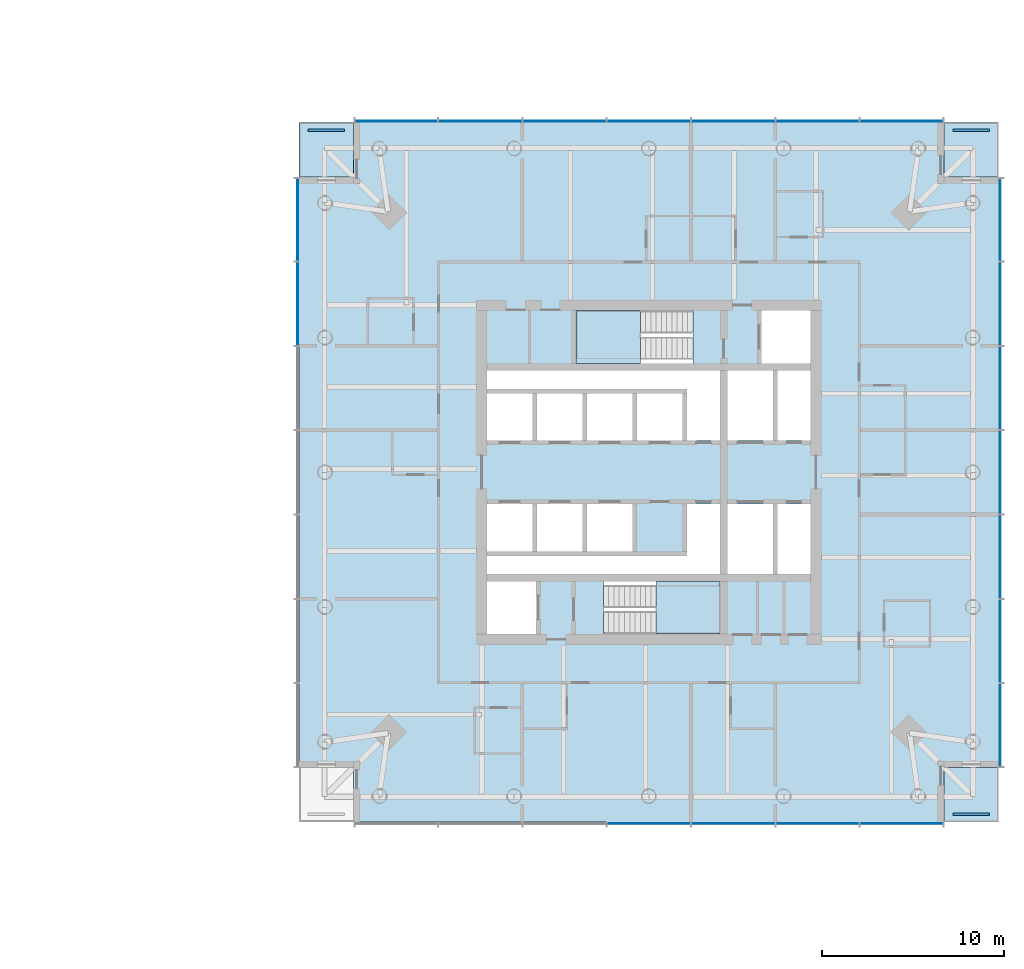
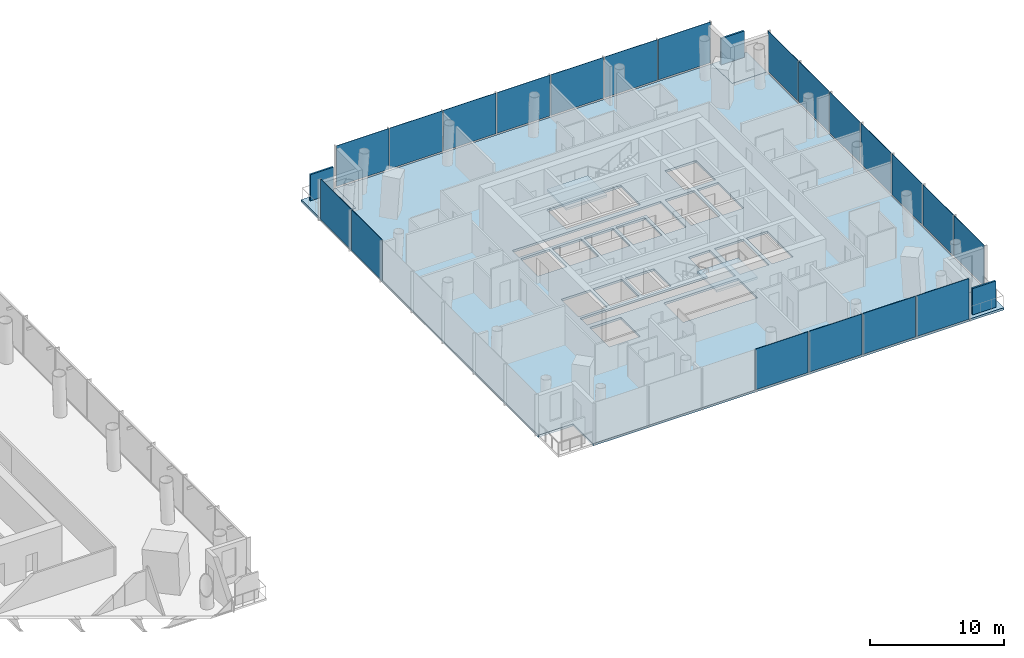
# One storey, part 9 of 21: 23 plates, 6 slabs, 6 elements without a shape of their own.
"""IFC4 building model written with IfcOpenShell, lengths in metres."""

from ifc_helpers import new_model, si_unit, direction, frame, origin, origin_2d, place, context, subcontext, project, spatial, polyline, rectangle, outline, extrude, material, layer, layer_set, type_object, element, aggregate, save


model = new_model("IFC4")

# Units and contexts
model_context = context("Model", 3, precision=1e-05, world=origin(), true_north=direction((0.0, 1.0)))
body_context = subcontext(model_context, "Body", "Model", "MODEL_VIEW")
ifc_project = project(units=[si_unit("LENGTHUNIT", "METRE"), si_unit("AREAUNIT", "SQUARE_METRE"), si_unit("VOLUMEUNIT", "CUBIC_METRE"), si_unit("PLANEANGLEUNIT", "RADIAN"), si_unit("MASSUNIT", "GRAM", prefix="KILO")], contexts=[model_context])

# Site, building, storey
site_placement = place(None, origin())
site = spatial("IfcSite", under=ifc_project, at=site_placement, CompositionType="ELEMENT")
building_placement = place(site_placement, origin())
building = spatial("IfcBuilding", under=site, at=building_placement, Name="Ostroluk Exchange", CompositionType="ELEMENT")
storey_placement = place(building_placement, frame((0.0, 0.0, 47.60009765625)))
storey = spatial("IfcBuildingStorey", under=building, at=storey_placement, Name="L11", CompositionType="ELEMENT", Elevation=47.60009765625)

# Curtain wall, plates
ifc_material_1 = material(Name="Laminated clear glass", Category="glass")
curtain_wall_type = type_object("IfcCurtainWallType", Name="Hotel guest floor facade", PredefinedType="USERDEFINED", material=ifc_material_1)
curtain_wall_1_placement = place(storey_placement, origin())
curtain_wall_1 = element("IfcCurtainWall", 1, at=curtain_wall_1_placement, inside=storey, type_object=curtain_wall_type, Name="Hotel tower south facade L11", ObjectType="UNITISED CURTAIN WALL", PredefinedType="USERDEFINED")
ifc_material_2 = material(Name="Laminated clear glass", Category="glass")
ifc_layer_1 = layer(ifc_material_2, 0.0400390625)
ifc_layer_set_1 = layer_set([ifc_layer_1], Name="Acoustic laminated glazing 40")
plate_type_1 = type_object("IfcPlateType", Name="Acoustic laminated glazing 40", PredefinedType="CURTAIN_PANEL", material=ifc_layer_set_1)
plate_1_placement = place(storey_placement, frame((117.0, 26.675048828125, 0.080078125), z_axis=(0.0, 0.0, 1.0), x_axis=(1.0, 0.0, 0.0)))
plate_1 = element("IfcPlate", 2, at=plate_1_placement, type_object=plate_type_1, Name="CW-H1 panel 4.1", PredefinedType="CURTAIN_PANEL", context=body_context, shape_type="SweptSolid", body=[
    extrude(rectangle(XDim=4.562744140625, YDim=0.0400390625, at=origin_2d()), origin(), (0.0, 0.0, 1.0), 3.719970703125),
])
plate_2_placement = place(storey_placement, frame((121.642822265625, 26.675048828125, 0.080078125), z_axis=(0.0, 0.0, 1.0), x_axis=(1.0, 0.0, 0.0)))
plate_2 = element("IfcPlate", 3, at=plate_2_placement, type_object=plate_type_1, Name="CW-H1 panel 5.1", PredefinedType="CURTAIN_PANEL", context=body_context, shape_type="SweptSolid", body=[
    extrude(rectangle(XDim=4.562744140625, YDim=0.0400390625, at=origin_2d()), origin(), (0.0, 0.0, 1.0), 3.719970703125),
])
plate_3_placement = place(storey_placement, frame((126.28564453125, 26.675048828125, 0.080078125), z_axis=(0.0, 0.0, 1.0), x_axis=(1.0, 0.0, 0.0)))
plate_3 = element("IfcPlate", 4, at=plate_3_placement, type_object=plate_type_1, Name="CW-H1 panel 6.1", PredefinedType="CURTAIN_PANEL", context=body_context, shape_type="SweptSolid", body=[
    extrude(rectangle(XDim=4.562744140625, YDim=0.0400390625, at=origin_2d()), origin(), (0.0, 0.0, 1.0), 3.719970703125),
])
plate_4_placement = place(storey_placement, frame((130.90869140625, 26.675048828125, 0.080078125), z_axis=(0.0, 0.0, 1.0), x_axis=(1.0, 0.0, 0.0)))
plate_4 = element("IfcPlate", 5, at=plate_4_placement, type_object=plate_type_1, Name="CW-H1 panel 7.1", PredefinedType="CURTAIN_PANEL", context=body_context, shape_type="SweptSolid", body=[
    extrude(rectangle(XDim=4.52294921875, YDim=0.0400390625, at=origin_2d()), origin(), (0.0, 0.0, 1.0), 3.719970703125),
])
aggregate(curtain_wall_1, [plate_1, plate_2, plate_3, plate_4])

curtain_wall_2_placement = place(storey_placement, origin())
curtain_wall_2 = element("IfcCurtainWall", 6, at=curtain_wall_2_placement, inside=storey, type_object=curtain_wall_type, Name="Hotel tower east facade L11", ObjectType="UNITISED CURTAIN WALL", PredefinedType="USERDEFINED")
plate_5_placement = place(storey_placement, frame((136.324951171875, 32.09130859375, 0.080078125), z_axis=(0.0, 0.0, 1.0), x_axis=(0.0, 1.0, 0.0)))
plate_5 = element("IfcPlate", 7, at=plate_5_placement, type_object=plate_type_1, Name="CW-H1 panel 1.1", PredefinedType="CURTAIN_PANEL", context=body_context, shape_type="SweptSolid", body=[
    extrude(rectangle(XDim=4.52294921875, YDim=0.0400390625, at=origin_2d()), origin(), (0.0, 0.0, 1.0), 3.719970703125),
])
plate_6_placement = place(storey_placement, frame((136.324951171875, 36.71435546875, 0.080078125), z_axis=(0.0, 0.0, 1.0), x_axis=(0.0, 1.0, 0.0)))
plate_6 = element("IfcPlate", 8, at=plate_6_placement, type_object=plate_type_1, Name="CW-H1 panel 2.1", PredefinedType="CURTAIN_PANEL", context=body_context, shape_type="SweptSolid", body=[
    extrude(rectangle(XDim=4.562744140625, YDim=0.0400390625, at=origin_2d()), origin(), (0.0, 0.0, 1.0), 3.719970703125),
])
plate_7_placement = place(storey_placement, frame((136.324951171875, 41.357177734375, 0.080078125), z_axis=(0.0, 0.0, 1.0), x_axis=(0.0, 1.0, 0.0)))
plate_7 = element("IfcPlate", 9, at=plate_7_placement, type_object=plate_type_1, Name="CW-H1 panel 3.1", PredefinedType="CURTAIN_PANEL", context=body_context, shape_type="SweptSolid", body=[
    extrude(rectangle(XDim=4.562744140625, YDim=0.0400390625, at=origin_2d()), origin(), (0.0, 0.0, 1.0), 3.719970703125),
])
plate_8_placement = place(storey_placement, frame((136.324951171875, 46.0, 0.080078125), z_axis=(0.0, 0.0, 1.0), x_axis=(0.0, 1.0, 0.0)))
plate_8 = element("IfcPlate", 10, at=plate_8_placement, type_object=plate_type_1, Name="CW-H1 panel 4.1", PredefinedType="CURTAIN_PANEL", context=body_context, shape_type="SweptSolid", body=[
    extrude(rectangle(XDim=4.562744140625, YDim=0.0400390625, at=origin_2d()), origin(), (0.0, 0.0, 1.0), 3.719970703125),
])
plate_9_placement = place(storey_placement, frame((136.324951171875, 50.642822265625, 0.080078125), z_axis=(0.0, 0.0, 1.0), x_axis=(0.0, 1.0, 0.0)))
plate_9 = element("IfcPlate", 11, at=plate_9_placement, type_object=plate_type_1, Name="CW-H1 panel 5.1", PredefinedType="CURTAIN_PANEL", context=body_context, shape_type="SweptSolid", body=[
    extrude(rectangle(XDim=4.562744140625, YDim=0.0400390625, at=origin_2d()), origin(), (0.0, 0.0, 1.0), 3.719970703125),
])
plate_10_placement = place(storey_placement, frame((136.324951171875, 55.28564453125, 0.080078125), z_axis=(0.0, 0.0, 1.0), x_axis=(0.0, 1.0, 0.0)))
plate_10 = element("IfcPlate", 12, at=plate_10_placement, type_object=plate_type_1, Name="CW-H1 panel 6.1", PredefinedType="CURTAIN_PANEL", context=body_context, shape_type="SweptSolid", body=[
    extrude(rectangle(XDim=4.562744140625, YDim=0.0400390625, at=origin_2d()), origin(), (0.0, 0.0, 1.0), 3.719970703125),
])
plate_11_placement = place(storey_placement, frame((136.324951171875, 59.90869140625, 0.080078125), z_axis=(0.0, 0.0, 1.0), x_axis=(0.0, 1.0, 0.0)))
plate_11 = element("IfcPlate", 13, at=plate_11_placement, type_object=plate_type_1, Name="CW-H1 panel 7.1", PredefinedType="CURTAIN_PANEL", context=body_context, shape_type="SweptSolid", body=[
    extrude(rectangle(XDim=4.52294921875, YDim=0.0400390625, at=origin_2d()), origin(), (0.0, 0.0, 1.0), 3.719970703125),
])
aggregate(curtain_wall_2, [plate_5, plate_6, plate_7, plate_8, plate_9, plate_10, plate_11])

curtain_wall_3_placement = place(storey_placement, origin())
curtain_wall_3 = element("IfcCurtainWall", 14, at=curtain_wall_3_placement, inside=storey, type_object=curtain_wall_type, Name="Hotel tower north facade L11", ObjectType="UNITISED CURTAIN WALL", PredefinedType="USERDEFINED")
plate_12_placement = place(storey_placement, frame((130.90869140625, 65.324951171875, 0.080078125), z_axis=(0.0, 0.0, 1.0), x_axis=(-1.0, 0.0, 0.0)))
plate_12 = element("IfcPlate", 15, at=plate_12_placement, type_object=plate_type_1, Name="CW-H1 panel 1.1", PredefinedType="CURTAIN_PANEL", context=body_context, shape_type="SweptSolid", body=[
    extrude(rectangle(XDim=4.52294921875, YDim=0.0400390625, at=origin_2d()), origin(), (0.0, 0.0, 1.0), 3.719970703125),
])
plate_13_placement = place(storey_placement, frame((126.28564453125, 65.324951171875, 0.080078125), z_axis=(0.0, 0.0, 1.0), x_axis=(-1.0, 0.0, 0.0)))
plate_13 = element("IfcPlate", 16, at=plate_13_placement, type_object=plate_type_1, Name="CW-H1 panel 2.1", PredefinedType="CURTAIN_PANEL", context=body_context, shape_type="SweptSolid", body=[
    extrude(rectangle(XDim=4.562744140625, YDim=0.0400390625, at=origin_2d()), origin(), (0.0, 0.0, 1.0), 3.719970703125),
])
plate_14_placement = place(storey_placement, frame((121.642822265625, 65.324951171875, 0.080078125), z_axis=(0.0, 0.0, 1.0), x_axis=(-1.0, 0.0, 0.0)))
plate_14 = element("IfcPlate", 17, at=plate_14_placement, type_object=plate_type_1, Name="CW-H1 panel 3.1", PredefinedType="CURTAIN_PANEL", context=body_context, shape_type="SweptSolid", body=[
    extrude(rectangle(XDim=4.562744140625, YDim=0.0400390625, at=origin_2d()), origin(), (0.0, 0.0, 1.0), 3.719970703125),
])
plate_15_placement = place(storey_placement, frame((117.0, 65.324951171875, 0.080078125), z_axis=(0.0, 0.0, 1.0), x_axis=(-1.0, 0.0, 0.0)))
plate_15 = element("IfcPlate", 18, at=plate_15_placement, type_object=plate_type_1, Name="CW-H1 panel 4.1", PredefinedType="CURTAIN_PANEL", context=body_context, shape_type="SweptSolid", body=[
    extrude(rectangle(XDim=4.562744140625, YDim=0.0400390625, at=origin_2d()), origin(), (0.0, 0.0, 1.0), 3.719970703125),
])
plate_16_placement = place(storey_placement, frame((112.357177734375, 65.324951171875, 0.080078125), z_axis=(0.0, 0.0, 1.0), x_axis=(-1.0, 0.0, 0.0)))
plate_16 = element("IfcPlate", 19, at=plate_16_placement, type_object=plate_type_1, Name="CW-H1 panel 5.1", PredefinedType="CURTAIN_PANEL", context=body_context, shape_type="SweptSolid", body=[
    extrude(rectangle(XDim=4.562744140625, YDim=0.0400390625, at=origin_2d()), origin(), (0.0, 0.0, 1.0), 3.719970703125),
])
plate_17_placement = place(storey_placement, frame((107.71435546875, 65.324951171875, 0.080078125), z_axis=(0.0, 0.0, 1.0), x_axis=(-1.0, 0.0, 0.0)))
plate_17 = element("IfcPlate", 20, at=plate_17_placement, type_object=plate_type_1, Name="CW-H1 panel 6.1", PredefinedType="CURTAIN_PANEL", context=body_context, shape_type="SweptSolid", body=[
    extrude(rectangle(XDim=4.562744140625, YDim=0.0400390625, at=origin_2d()), origin(), (0.0, 0.0, 1.0), 3.719970703125),
])
plate_18_placement = place(storey_placement, frame((103.09130859375, 65.324951171875, 0.080078125), z_axis=(0.0, 0.0, 1.0), x_axis=(-1.0, 0.0, 0.0)))
plate_18 = element("IfcPlate", 21, at=plate_18_placement, type_object=plate_type_1, Name="CW-H1 panel 7.1", PredefinedType="CURTAIN_PANEL", context=body_context, shape_type="SweptSolid", body=[
    extrude(rectangle(XDim=4.52294921875, YDim=0.0400390625, at=origin_2d()), origin(), (0.0, 0.0, 1.0), 3.719970703125),
])
aggregate(curtain_wall_3, [plate_12, plate_13, plate_14, plate_15, plate_16, plate_17, plate_18])

curtain_wall_4_placement = place(storey_placement, origin())
curtain_wall_4 = element("IfcCurtainWall", 22, at=curtain_wall_4_placement, inside=storey, type_object=curtain_wall_type, Name="Hotel tower west facade L11", ObjectType="UNITISED CURTAIN WALL", PredefinedType="USERDEFINED")
plate_19_placement = place(storey_placement, frame((97.675048828125, 59.90869140625, 0.080078125), z_axis=(0.0, 0.0, 1.0), x_axis=(0.0, -1.0, 0.0)))
plate_19 = element("IfcPlate", 23, at=plate_19_placement, type_object=plate_type_1, Name="CW-H1 panel 1.1", PredefinedType="CURTAIN_PANEL", context=body_context, shape_type="SweptSolid", body=[
    extrude(rectangle(XDim=4.52294921875, YDim=0.0400390625, at=origin_2d()), origin(), (0.0, 0.0, 1.0), 3.719970703125),
])
plate_20_placement = place(storey_placement, frame((97.675048828125, 55.28564453125, 0.080078125), z_axis=(0.0, 0.0, 1.0), x_axis=(0.0, -1.0, 0.0)))
plate_20 = element("IfcPlate", 24, at=plate_20_placement, type_object=plate_type_1, Name="CW-H1 panel 2.1", PredefinedType="CURTAIN_PANEL", context=body_context, shape_type="SweptSolid", body=[
    extrude(rectangle(XDim=4.562744140625, YDim=0.0400390625, at=origin_2d()), origin(), (0.0, 0.0, 1.0), 3.719970703125),
])
aggregate(curtain_wall_4, [plate_19, plate_20])

# Slabs
ifc_material_3 = material(Name="Concrete C35/45", Category="concrete")
ifc_layer_2 = layer(ifc_material_3, 0.199951171875)
ifc_layer_set_2 = layer_set([ifc_layer_2], Name="Balcony slab 200")
slab_type_1 = type_object("IfcSlabType", Name="Balcony slab 200", PredefinedType="USERDEFINED", material=ifc_layer_set_2)
slab_1_placement = place(storey_placement, frame((0.0, 0.0, -0.2001953125)))
element("IfcSlab", 25, at=slab_1_placement, inside=storey, type_object=slab_type_1, Name="Hotel tower SE corner balcony L11", ObjectType="BALCONY", PredefinedType="USERDEFINED", context=body_context, shape_type="SweptSolid", body=[
    extrude(outline(polyline([(133.25, 26.75), (136.25, 26.75), (136.25, 29.75), (133.25, 29.75), (133.25, 26.75)])), origin(), (0.0, 0.0, 1.0), 0.2001953125),
])
slab_2_placement = place(storey_placement, frame((0.0, 0.0, -0.2001953125)))
element("IfcSlab", 26, at=slab_2_placement, inside=storey, type_object=slab_type_1, Name="Hotel tower NE corner balcony L11", ObjectType="BALCONY", PredefinedType="USERDEFINED", context=body_context, shape_type="SweptSolid", body=[
    extrude(outline(polyline([(133.25, 62.25), (136.25, 62.25), (136.25, 65.25), (133.25, 65.25), (133.25, 62.25)])), origin(), (0.0, 0.0, 1.0), 0.2001953125),
])
slab_3_placement = place(storey_placement, frame((0.0, 0.0, -0.2001953125)))
element("IfcSlab", 27, at=slab_3_placement, inside=storey, type_object=slab_type_1, Name="Hotel tower NW corner balcony L11", ObjectType="BALCONY", PredefinedType="USERDEFINED", context=body_context, shape_type="SweptSolid", body=[
    extrude(outline(polyline([(97.75, 62.25), (100.75, 62.25), (100.75, 65.25), (97.75, 65.25), (97.75, 62.25)])), origin(), (0.0, 0.0, 1.0), 0.2001953125),
])

# Plates
ifc_material_4 = material(Name="Steel S355 trellis with planting", Category="steel")
ifc_layer_3 = layer(ifc_material_4, 0.14990234375)
ifc_layer_set_3 = layer_set([ifc_layer_3], Name="Planted screen 150")
plate_type_2 = type_object("IfcPlateType", Name="Planted screen 150", PredefinedType="USERDEFINED", material=ifc_layer_set_3)
for number, where, z_axis, x_axis, name in (
    (28, (134.75, 27.175048828125, 0.0), (0.0, 0.0, 1.0), (1.0, 0.0, 0.0), "Hotel tower SE planted screen L11"),
    (29, (134.75, 64.824951171875, 0.0), (0.0, 0.0, 1.0), (1.0, 0.0, 0.0), "Hotel tower NE planted screen L11"),
    (30, (99.25, 64.824951171875, 0.0), (0.0, 0.0, 1.0), (1.0, 0.0, 0.0), "Hotel tower NW planted screen L11"),
):
    element("IfcPlate", number, at=place(storey_placement, frame(where, z_axis=z_axis, x_axis=x_axis)), inside=storey, type_object=plate_type_2, Name=name, ObjectType="PLANTED SCREEN", PredefinedType="USERDEFINED", context=body_context, shape_type="SweptSolid", body=[
        extrude(rectangle(XDim=2.0, YDim=0.14990234375, at=origin_2d()), origin(), (0.0, 0.0, 1.0), 2.39990234375),
    ])

# Stair, slab
ifc_material_5 = material(Name="Concrete C30/37", Category="concrete")
stair_type = type_object("IfcStairType", Name="Exit stair half turn 3800", PredefinedType="HALF_TURN_STAIR", material=ifc_material_5)
stair_1_placement = place(storey_placement, origin())
stair_1 = element("IfcStair", 31, at=stair_1_placement, inside=storey, type_object=stair_type, Name="Stair T2-S1 L11", PredefinedType="HALF_TURN_STAIR")
ifc_material_6 = material(Name="Concrete C30/37", Category="concrete")
ifc_layer_4 = layer(ifc_material_6, 0.199951171875)
ifc_layer_set_4 = layer_set([ifc_layer_4], Name="Stair landing 200")
slab_type_2 = type_object("IfcSlabType", Name="Stair landing 200", PredefinedType="LANDING", material=ifc_layer_set_4)
slab_4_placement = place(storey_placement, frame((0.0, 0.0, 1.699951171875)))
slab_4 = element("IfcSlab", 32, at=slab_4_placement, type_object=slab_type_2, Name="T2-S1 landing 1", PredefinedType="LANDING", context=body_context, shape_type="SweptSolid", body=[
    extrude(outline(polyline([(117.39990234375, 37.10009765625), (117.39990234375, 40.0), (120.929931640625, 40.0), (120.929931640625, 37.10009765625), (117.39990234375, 37.10009765625)])), origin(), (0.0, 0.0, 1.0), 0.199951171875),
])
aggregate(stair_1, [slab_4])

stair_2_placement = place(storey_placement, origin())
stair_2 = element("IfcStair", 33, at=stair_2_placement, inside=storey, type_object=stair_type, Name="Stair T2-S2 L11", PredefinedType="HALF_TURN_STAIR")
slab_5_placement = place(storey_placement, frame((0.0, 0.0, 1.699951171875)))
slab_5 = element("IfcSlab", 34, at=slab_5_placement, type_object=slab_type_2, Name="T2-S2 landing 1", PredefinedType="LANDING", context=body_context, shape_type="SweptSolid", body=[
    extrude(outline(polyline([(116.530029296875, 52.0), (116.530029296875, 54.89990234375), (113.0, 54.89990234375), (113.0, 52.0), (116.530029296875, 52.0)])), origin(), (0.0, 0.0, 1.0), 0.199951171875),
])
aggregate(stair_2, [slab_5])

# Slab
ifc_material_7 = material(Name="Concrete C35/45", Category="concrete")
ifc_layer_5 = layer(ifc_material_7, 0.199951171875)
ifc_layer_set_5 = layer_set([ifc_layer_5], Name="Tower floor slab 200 composite")
slab_type_3 = type_object("IfcSlabType", Name="Tower floor slab 200 composite", PredefinedType="FLOOR", material=ifc_layer_set_5)
slab_6_placement = place(storey_placement, frame((0.0, 0.0, -0.2001953125)))
element("IfcSlab", 35, at=slab_6_placement, inside=storey, type_object=slab_type_3, Name="Hotel tower floor slab L11", PredefinedType="FLOOR", context=body_context, shape_type="SweptSolid", body=[
    extrude(outline(polyline([(100.75, 26.75), (133.25, 26.75), (133.25, 29.75), (136.25, 29.75), (136.25, 62.25), (133.25, 62.25), (133.25, 65.25), (100.75, 65.25), (100.75, 62.25), (97.75, 62.25), (97.75, 29.75), (100.75, 29.75), (100.75, 26.75)]), holes=[polyline([(108.10009765625, 37.10009765625), (110.800048828125, 37.10009765625), (110.800048828125, 40.0), (108.10009765625, 40.0), (108.10009765625, 37.10009765625)]), polyline([(114.510009765625, 37.10009765625), (120.929931640625, 37.10009765625), (120.929931640625, 40.0), (114.510009765625, 40.0), (114.510009765625, 37.10009765625)]), polyline([(113.0, 52.0), (119.419921875, 52.0), (119.419921875, 54.89990234375), (113.0, 54.89990234375), (113.0, 52.0)]), polyline([(123.199951171875, 52.0), (125.89990234375, 52.0), (125.89990234375, 54.89990234375), (123.199951171875, 54.89990234375), (123.199951171875, 52.0)]), polyline([(108.10009765625, 47.75), (110.60009765625, 47.75), (110.60009765625, 50.35009765625), (108.10009765625, 50.35009765625), (108.10009765625, 47.75)]), polyline([(110.85009765625, 47.75), (113.35009765625, 47.75), (113.35009765625, 50.35009765625), (110.85009765625, 50.35009765625), (110.85009765625, 47.75)]), polyline([(113.60009765625, 47.75), (116.10009765625, 47.75), (116.10009765625, 50.35009765625), (113.60009765625, 50.35009765625), (113.60009765625, 47.75)]), polyline([(116.35009765625, 47.75), (118.85009765625, 47.75), (118.85009765625, 50.35009765625), (116.35009765625, 50.35009765625), (116.35009765625, 47.75)]), polyline([(108.10009765625, 41.64990234375), (110.60009765625, 41.64990234375), (110.60009765625, 44.25), (108.10009765625, 44.25), (108.10009765625, 41.64990234375)]), polyline([(110.85009765625, 41.64990234375), (113.35009765625, 41.64990234375), (113.35009765625, 44.25), (110.85009765625, 44.25), (110.85009765625, 41.64990234375)]), polyline([(113.60009765625, 41.64990234375), (116.10009765625, 41.64990234375), (116.10009765625, 44.25), (113.60009765625, 44.25), (113.60009765625, 41.64990234375)]), polyline([(121.330078125, 47.75), (123.830078125, 47.75), (123.830078125, 51.60009765625), (121.330078125, 51.60009765625), (121.330078125, 47.75)]), polyline([(121.330078125, 40.39990234375), (123.830078125, 40.39990234375), (123.830078125, 44.25), (121.330078125, 44.25), (121.330078125, 40.39990234375)]), polyline([(120.929931640625, 51.60009765625), (120.929931640625, 47.75), (119.10009765625, 47.75), (119.10009765625, 50.60009765625), (108.10009765625, 50.60009765625), (108.10009765625, 51.60009765625), (120.929931640625, 51.60009765625)]), polyline([(108.10009765625, 40.39990234375), (108.10009765625, 41.39990234375), (119.10009765625, 41.39990234375), (119.10009765625, 44.25), (120.929931640625, 44.25), (120.929931640625, 40.39990234375), (108.10009765625, 40.39990234375)]), polyline([(124.080078125, 47.75), (125.89990234375, 47.75), (125.89990234375, 51.60009765625), (124.080078125, 51.60009765625), (124.080078125, 47.75)]), polyline([(124.080078125, 40.39990234375), (125.89990234375, 40.39990234375), (125.89990234375, 44.25), (124.080078125, 44.25), (124.080078125, 40.39990234375)])]), origin(), (0.0, 0.0, 1.0), 0.2001953125),
])

save(model, "model.ifc")
